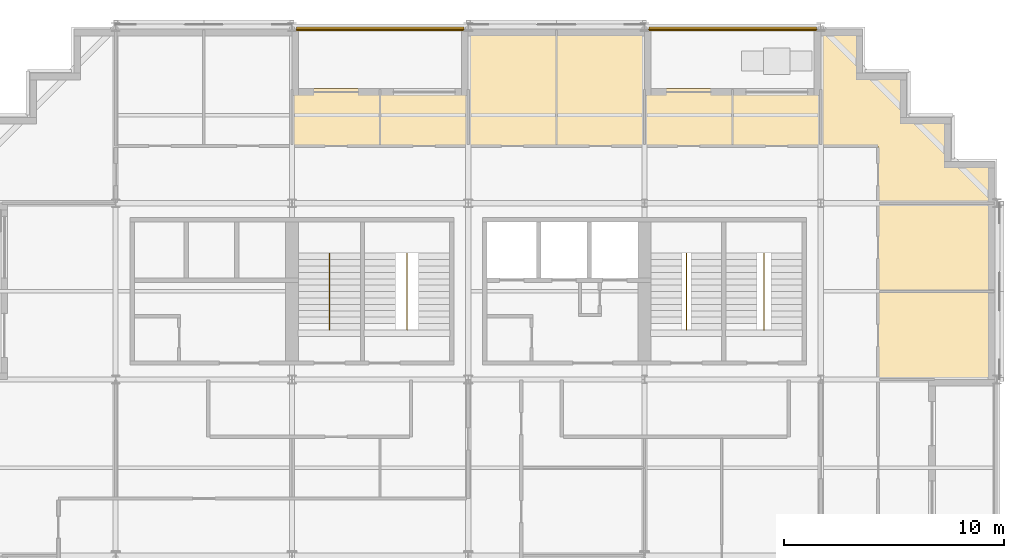
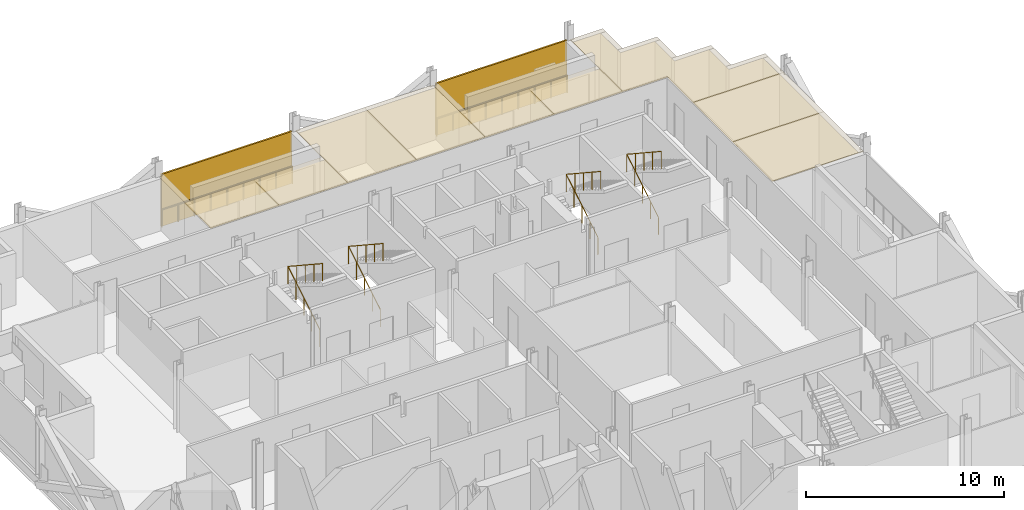
# One storey, part 14 of 15: 9 coverings, 6 railings, 2 shading devices.
"""IFC4 building model written with IfcOpenShell, lengths in metres."""

from ifc_helpers import new_model, si_unit, direction, frame, origin, origin_2d, place, context, subcontext, project, spatial, polyline, rectangle, circle, outline, extrude, material, layer, layer_set, type_object, element, save


model = new_model("IFC4")

# Units and contexts
model_context = context("Model", 3, precision=1e-05, world=origin(), true_north=direction((0.0, 1.0)))
body_context = subcontext(model_context, "Body", "Model", "MODEL_VIEW")
ifc_project = project(units=[si_unit("LENGTHUNIT", "METRE"), si_unit("AREAUNIT", "SQUARE_METRE"), si_unit("VOLUMEUNIT", "CUBIC_METRE"), si_unit("PLANEANGLEUNIT", "RADIAN"), si_unit("MASSUNIT", "GRAM", prefix="KILO")], contexts=[model_context])

# Site, building, storey
site_placement = place(None, origin())
site = spatial("IfcSite", under=ifc_project, at=site_placement, CompositionType="ELEMENT")
building_placement = place(site_placement, origin())
building = spatial("IfcBuilding", under=site, at=building_placement, Name="Immortelle Media Tower", CompositionType="ELEMENT")
storey_placement = place(building_placement, frame((0.0, 0.0, 109.60009765625)))
storey = spatial("IfcBuildingStorey", under=building, at=storey_placement, Name="L21", CompositionType="ELEMENT", Elevation=109.60009765625)

# Railings
ifc_material_1 = material(Name="Powder-coated aluminium fretwork panel, laminated glass backing", Category="aluminium")
railing_type_1 = type_object("IfcRailingType", Name="Fretwork balustrade 1100", PredefinedType="BALUSTRADE", material=ifc_material_1)
railing_1_placement = place(storey_placement, frame((39.8134765625, 47.860107421875, 0.0)))
element("IfcRailing", 1, at=railing_1_placement, inside=storey, type_object=railing_type_1, Name="Fretwork balustrade L21 N0", PredefinedType="BALUSTRADE", context=body_context, shape_type="SweptSolid", body=[
    extrude(circle(Radius=0.02490234375, at=origin_2d()), frame((0.0, 0.0, 1.0751953125), z_axis=(-1.0, 0.0, 0.0), x_axis=(0.0, -1.0, 0.0)), (0.0, 0.0, 1.0), 7.614013671875),
    extrude(circle(Radius=0.02001953125, at=origin_2d()), origin(), (0.0, 0.0, 1.0), 1.050048828125),
    extrude(circle(Radius=0.02001953125, at=origin_2d()), frame((-0.95166015625, 0.0, 0.0)), (0.0, 0.0, 1.0), 1.050048828125),
    extrude(circle(Radius=0.02001953125, at=origin_2d()), frame((-1.903564453125, 0.0, 0.0)), (0.0, 0.0, 1.0), 1.050048828125),
    extrude(circle(Radius=0.02001953125, at=origin_2d()), frame((-2.855224609375, 0.0, 0.0)), (0.0, 0.0, 1.0), 1.050048828125),
    extrude(circle(Radius=0.02001953125, at=origin_2d()), frame((-3.80712890625, 0.0, 0.0)), (0.0, 0.0, 1.0), 1.050048828125),
    extrude(circle(Radius=0.02001953125, at=origin_2d()), frame((-4.7587890625, 0.0, 0.0)), (0.0, 0.0, 1.0), 1.050048828125),
    extrude(circle(Radius=0.02001953125, at=origin_2d()), frame((-5.71044921875, 0.0, 0.0)), (0.0, 0.0, 1.0), 1.050048828125),
    extrude(circle(Radius=0.02001953125, at=origin_2d()), frame((-6.662353515625, 0.0, 0.0)), (0.0, 0.0, 1.0), 1.050048828125),
    extrude(circle(Radius=0.02001953125, at=origin_2d()), frame((-7.614013671875, 0.0, 0.0)), (0.0, 0.0, 1.0), 1.050048828125),
])
railing_2_placement = place(storey_placement, frame((23.800537109375, 47.860107421875, 0.0)))
element("IfcRailing", 2, at=railing_2_placement, inside=storey, type_object=railing_type_1, Name="Fretwork balustrade L21 N2", PredefinedType="BALUSTRADE", context=body_context, shape_type="SweptSolid", body=[
    extrude(circle(Radius=0.02490234375, at=origin_2d()), frame((0.0, 0.0, 1.0751953125), z_axis=(-1.0, 0.0, 0.0), x_axis=(0.0, -1.0, 0.0)), (0.0, 0.0, 1.0), 7.59765625),
    extrude(circle(Radius=0.02001953125, at=origin_2d()), origin(), (0.0, 0.0, 1.0), 1.050048828125),
    extrude(circle(Radius=0.02001953125, at=origin_2d()), frame((-0.94970703125, 0.0, 0.0)), (0.0, 0.0, 1.0), 1.050048828125),
    extrude(circle(Radius=0.02001953125, at=origin_2d()), frame((-1.8994140625, 0.0, 0.0)), (0.0, 0.0, 1.0), 1.050048828125),
    extrude(circle(Radius=0.02001953125, at=origin_2d()), frame((-2.84912109375, 0.0, 0.0)), (0.0, 0.0, 1.0), 1.050048828125),
    extrude(circle(Radius=0.02001953125, at=origin_2d()), frame((-3.798828125, 0.0, 0.0)), (0.0, 0.0, 1.0), 1.050048828125),
    extrude(circle(Radius=0.02001953125, at=origin_2d()), frame((-4.74853515625, 0.0, 0.0)), (0.0, 0.0, 1.0), 1.050048828125),
    extrude(circle(Radius=0.02001953125, at=origin_2d()), frame((-5.6982421875, 0.0, 0.0)), (0.0, 0.0, 1.0), 1.050048828125),
    extrude(circle(Radius=0.02001953125, at=origin_2d()), frame((-6.64794921875, 0.0, 0.0)), (0.0, 0.0, 1.0), 1.050048828125),
    extrude(circle(Radius=0.02001953125, at=origin_2d()), frame((-7.59765625, 0.0, 0.0)), (0.0, 0.0, 1.0), 1.050048828125),
])

# Shading devices
ifc_material_2 = material(Name="Pale aluminium louvre blades", Category="aluminium")
ifc_layer_1 = layer(ifc_material_2, 0.10009765625)
ifc_layer_set_1 = layer_set([ifc_layer_1], Name="Pale aluminium louvre blades")
shading_device_type = type_object("IfcShadingDeviceType", Name="Jalousie screen 100", PredefinedType="JALOUSIE", material=ifc_layer_set_1)
shading_device_1_placement = place(storey_placement, frame((36.006591796875, 47.949951171875, 0.0), z_axis=(0.0, 0.0, 1.0), x_axis=(-1.0, 0.0, 0.0)))
element("IfcShadingDevice", 3, at=shading_device_1_placement, inside=storey, type_object=shading_device_type, Name="Jalousie screen L21 N0", PredefinedType="JALOUSIE", context=body_context, shape_type="SweptSolid", body=[
    extrude(rectangle(XDim=7.614013671875, YDim=0.10009765625, at=origin_2d()), origin(), (0.0, 0.0, 1.0), 3.199951171875),
])
shading_device_2_placement = place(storey_placement, frame((20.001708984375, 47.949951171875, 0.0), z_axis=(0.0, 0.0, 1.0), x_axis=(-1.0, 0.0, 0.0)))
element("IfcShadingDevice", 4, at=shading_device_2_placement, inside=storey, type_object=shading_device_type, Name="Jalousie screen L21 N2", PredefinedType="JALOUSIE", context=body_context, shape_type="SweptSolid", body=[
    extrude(rectangle(XDim=7.597412109375, YDim=0.10009765625, at=origin_2d()), origin(), (0.0, 0.0, 1.0), 3.199951171875),
])

# Railings
ifc_material_3 = material(Name="Stainless steel AISI 316", Category="steel")
railing_type_2 = type_object("IfcRailingType", Name="Stair guard 1100", PredefinedType="GUARDRAIL", material=ifc_material_3)
for number, where, name in (
    (5, (17.699951171875, 34.5400390625, 0.17578125), "Stair guard NW1"),
    (6, (21.22509765625, 34.5400390625, 0.17578125), "Stair guard NW2"),
    (7, (33.89990234375, 34.5400390625, 0.17578125), "Stair guard NE1"),
    (8, (37.425048828125, 34.5400390625, 0.17578125), "Stair guard NE2"),
):
    element("IfcRailing", number, at=place(storey_placement, frame(where)), inside=storey, type_object=railing_type_2, Name=name, PredefinedType="GUARDRAIL", context=body_context, shape_type="SweptSolid", body=[
        extrude(circle(Radius=0.02392578125, at=origin_2d()), frame((0.0, 0.0, 1.076171875), z_axis=(0.0, 0.854872504309, 0.518838126371), x_axis=(-1.0, 0.0, 0.0)), (0.0, 0.0, 1.0), 3.7314453125),
        extrude(circle(Radius=0.02392578125, at=origin_2d()), frame((0.0, 3.18994140625, 3.01220703125), z_axis=(0.0, -0.835568629342, 0.549386080693), x_axis=(1.0, 0.0, 0.0)), (0.0, 0.0, 1.0), 4.164794921875),
        extrude(circle(Radius=0.02099609375, at=origin_2d()), origin(), (0.0, 0.0, 1.0), 1.052001953125),
        extrude(circle(Radius=0.02099609375, at=origin_2d()), frame((0.0, 0.79736328125, 0.48388671875)), (0.0, 0.0, 1.0), 1.052001953125),
        extrude(circle(Radius=0.02099609375, at=origin_2d()), frame((0.0, 1.594970703125, 0.968017578125)), (0.0, 0.0, 1.0), 1.052001953125),
        extrude(circle(Radius=0.02099609375, at=origin_2d()), frame((0.0, 2.392578125, 1.4521484375)), (0.0, 0.0, 1.0), 1.052001953125),
        extrude(circle(Radius=0.02099609375, at=origin_2d()), frame((0.0, 3.18994140625, 1.93603515625)), (0.0, 0.0, 1.0), 1.052001953125),
        extrude(circle(Radius=0.02099609375, at=origin_2d()), frame((0.0, 2.31982421875, 2.508056640625)), (0.0, 0.0, 1.0), 1.052001953125),
        extrude(circle(Radius=0.02099609375, at=origin_2d()), frame((0.0, 1.449951171875, 3.080078125)), (0.0, 0.0, 1.0), 1.052001953125),
        extrude(circle(Radius=0.02099609375, at=origin_2d()), frame((0.0, 0.580078125, 3.652099609375)), (0.0, 0.0, 1.0), 1.052001953125),
        extrude(circle(Radius=0.02099609375, at=origin_2d()), frame((0.0, -0.2900390625, 4.22412109375)), (0.0, 0.0, 1.0), 1.052001953125),
    ])

# Coverings
ifc_material_4 = material(Name="Mineral fibre tile ceiling")
ifc_layer_2 = layer(ifc_material_4, 0.050048828125)
ifc_layer_set_2 = layer_set([ifc_layer_2], Name="Mineral fibre tile ceiling")
covering_type = type_object("IfcCoveringType", Name="Suspended ceiling 50", PredefinedType="CEILING", material=ifc_layer_set_2)
covering_1_placement = place(storey_placement, frame((0.0, 0.0, 3.143798828125)))
element("IfcCovering", 9, at=covering_1_placement, inside=storey, type_object=covering_type, Name="Ceiling L21-023", PredefinedType="CEILING", context=body_context, shape_type="SweptSolid", body=[
    extrude(outline(polyline([(42.60009765625, 32.0), (42.60009765625, 36.0), (47.89990234375, 36.0), (47.89990234375, 32.0), (45.199951171875, 32.0), (42.60009765625, 32.0)])), origin(), (0.0, 0.0, 1.0), 0.050048828125),
])
covering_2_placement = place(storey_placement, frame((0.0, 0.0, 3.143798828125)))
element("IfcCovering", 10, at=covering_2_placement, inside=storey, type_object=covering_type, Name="Ceiling L21-024", PredefinedType="CEILING", context=body_context, shape_type="SweptSolid", body=[
    extrude(outline(polyline([(42.60009765625, 40.0), (47.89990234375, 40.0), (47.89990234375, 36.0), (42.60009765625, 36.0), (42.60009765625, 40.0)])), origin(), (0.0, 0.0, 1.0), 0.050048828125),
])
covering_3_placement = place(storey_placement, frame((0.0, 0.0, 3.143798828125)))
element("IfcCovering", 11, at=covering_3_placement, inside=storey, type_object=covering_type, Name="Ceiling L21-026", PredefinedType="CEILING", context=body_context, shape_type="SweptSolid", body=[
    extrude(outline(polyline([(45.89990234375, 41.89990234375), (47.89990234375, 41.89990234375), (47.89990234375, 40.0), (44.0, 40.0), (42.60009765625, 40.0), (42.60009765625, 42.60009765625), (40.0, 42.60009765625), (40.0, 45.199951171875), (40.0, 47.89990234375), (41.89990234375, 47.89990234375), (41.89990234375, 45.89990234375), (43.89990234375, 45.89990234375), (43.89990234375, 43.89990234375), (44.0, 43.89990234375), (45.89990234375, 43.89990234375), (45.89990234375, 41.89990234375)])), origin(), (0.0, 0.0, 1.0), 0.050048828125),
])
covering_4_placement = place(storey_placement, frame((0.0, 0.0, 3.143798828125)))
element("IfcCovering", 12, at=covering_4_placement, inside=storey, type_object=covering_type, Name="Ceiling L21-027", PredefinedType="CEILING", context=body_context, shape_type="SweptSolid", body=[
    extrude(outline(polyline([(16.0, 45.199951171875), (20.0, 45.199951171875), (20.0, 42.60009765625), (16.0, 42.60009765625), (16.0, 45.199951171875)])), origin(), (0.0, 0.0, 1.0), 0.050048828125),
])
covering_5_placement = place(storey_placement, frame((0.0, 0.0, 3.143798828125)))
element("IfcCovering", 13, at=covering_5_placement, inside=storey, type_object=covering_type, Name="Ceiling L21-028", PredefinedType="CEILING", context=body_context, shape_type="SweptSolid", body=[
    extrude(outline(polyline([(24.0, 45.199951171875), (24.0, 42.60009765625), (20.0, 42.60009765625), (20.0, 45.199951171875), (24.0, 45.199951171875)])), origin(), (0.0, 0.0, 1.0), 0.050048828125),
])
covering_6_placement = place(storey_placement, frame((0.0, 0.0, 3.143798828125)))
element("IfcCovering", 14, at=covering_6_placement, inside=storey, type_object=covering_type, Name="Ceiling L21-029", PredefinedType="CEILING", context=body_context, shape_type="SweptSolid", body=[
    extrude(outline(polyline([(32.0, 45.199951171875), (36.0, 45.199951171875), (36.0, 42.60009765625), (32.0, 42.60009765625), (32.0, 45.199951171875)])), origin(), (0.0, 0.0, 1.0), 0.050048828125),
])
covering_7_placement = place(storey_placement, frame((0.0, 0.0, 3.143798828125)))
element("IfcCovering", 15, at=covering_7_placement, inside=storey, type_object=covering_type, Name="Ceiling L21-030", PredefinedType="CEILING", context=body_context, shape_type="SweptSolid", body=[
    extrude(outline(polyline([(40.0, 45.199951171875), (40.0, 42.60009765625), (36.0, 42.60009765625), (36.0, 45.199951171875), (40.0, 45.199951171875)])), origin(), (0.0, 0.0, 1.0), 0.050048828125),
])
covering_8_placement = place(storey_placement, frame((0.0, 0.0, 3.143798828125)))
element("IfcCovering", 16, at=covering_8_placement, inside=storey, type_object=covering_type, Name="Ceiling L21-033", PredefinedType="CEILING", context=body_context, shape_type="SweptSolid", body=[
    extrude(outline(polyline([(24.0, 45.199951171875), (24.0, 47.89990234375), (28.0, 47.89990234375), (28.0, 42.60009765625), (24.0, 42.60009765625), (24.0, 45.199951171875)])), origin(), (0.0, 0.0, 1.0), 0.050048828125),
])
covering_9_placement = place(storey_placement, frame((0.0, 0.0, 3.143798828125)))
element("IfcCovering", 17, at=covering_9_placement, inside=storey, type_object=covering_type, Name="Ceiling L21-034", PredefinedType="CEILING", context=body_context, shape_type="SweptSolid", body=[
    extrude(outline(polyline([(32.0, 47.89990234375), (32.0, 45.199951171875), (32.0, 42.60009765625), (28.0, 42.60009765625), (28.0, 47.89990234375), (32.0, 47.89990234375)])), origin(), (0.0, 0.0, 1.0), 0.050048828125),
])

save(model, "model.ifc")
